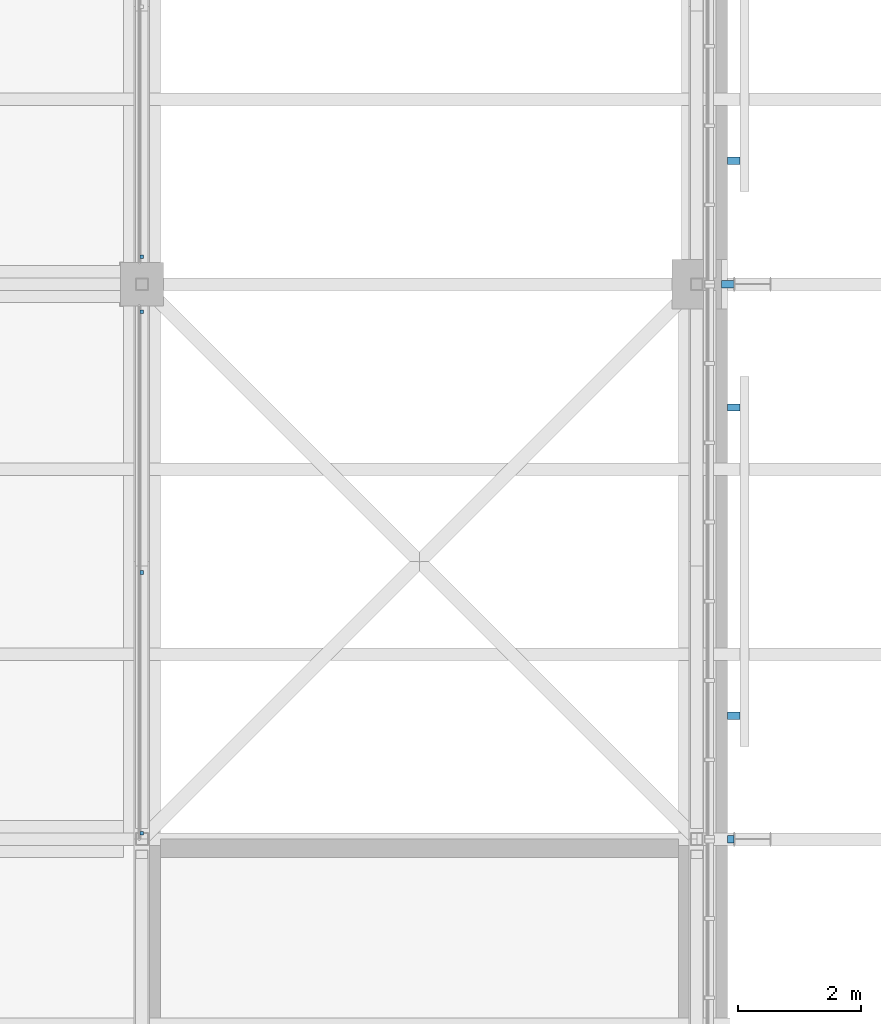
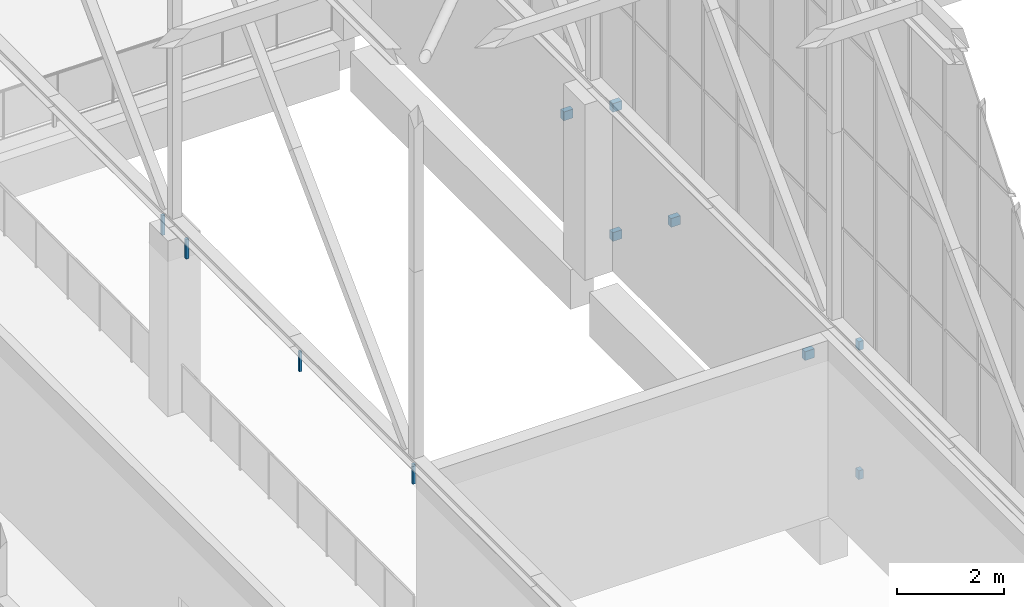
# One storey, part 224 of 646: 11 discrete accessories.
"""IFC4 building model written with IfcOpenShell, lengths in metres."""

from ifc_helpers import new_model, si_unit, direction, frame, origin, origin_2d, place, context, subcontext, project, spatial, rectangle, extrude, material, type_object, element, save


model = new_model("IFC4")

# Units and contexts
model_context = context("Model", 3, precision=1e-05, world=origin(), true_north=direction((0.0, 1.0)))
body_context = subcontext(model_context, "Body", "Model", "MODEL_VIEW")
ifc_project = project(units=[si_unit("LENGTHUNIT", "METRE"), si_unit("AREAUNIT", "SQUARE_METRE"), si_unit("VOLUMEUNIT", "CUBIC_METRE"), si_unit("PLANEANGLEUNIT", "RADIAN"), si_unit("MASSUNIT", "GRAM", prefix="KILO")], contexts=[model_context])

# Site, building, storey
site_placement = place(None, origin())
site = spatial("IfcSite", under=ifc_project, at=site_placement, CompositionType="ELEMENT")
building_placement = place(site_placement, origin())
building = spatial("IfcBuilding", under=site, at=building_placement, Name="Silverbay Arena", CompositionType="ELEMENT")
storey_placement = place(building_placement, frame((0.0, 0.0, 33.5)))
storey = spatial("IfcBuildingStorey", under=building, at=storey_placement, Name="L05", CompositionType="ELEMENT", Elevation=33.5)

# Discrete accessories
ifc_material_1 = material(Name="Steel S355", Category="steel")
discrete_accessory_type_1 = type_object("IfcDiscreteAccessoryType", Name="Ceiling hanger", PredefinedType="BRACKET", material=ifc_material_1)
for number, where, z_axis, x_axis, name in (
    (1, (198.0, 108.094970703125, 3.5498046875), (0.0, 0.0, 1.0), (1.0, 0.0, 0.0), "Ceiling hanger"),
    (2, (198.0, 112.324951171875, 3.5498046875), (0.0, 0.0, 1.0), (1.0, 0.0, 0.0), "Ceiling hanger"),
    (3, (198.0, 116.554931640625, 3.5498046875), (0.0, 0.0, 1.0), (1.0, 0.0, 0.0), "Ceiling hanger"),
    (4, (198.0, 117.445068359375, 3.5498046875), (0.0, 0.0, 1.0), (1.0, 0.0, 0.0), "Ceiling hanger"),
):
    element("IfcDiscreteAccessory", number, at=place(storey_placement, frame(where, z_axis=z_axis, x_axis=x_axis)), inside=storey, type_object=discrete_accessory_type_1, Name=name, PredefinedType="BRACKET", context=body_context, shape_type="SweptSolid", body=[
        extrude(rectangle(XDim=0.06005859375, YDim=0.06005859375, at=origin_2d()), origin(), (0.0, 0.0, 1.0), 0.449951171875),
    ])
ifc_material_2 = material(Name="Steel S355", Category="steel")
discrete_accessory_type_2 = type_object("IfcDiscreteAccessoryType", Name="Steel bracket plate", PredefinedType="BRACKET", material=ifc_material_2)
for number, where, z_axis, x_axis, name in (
    (5, (207.60009765625, 110.0, 1.89990234375), (0.0, 0.0, 1.0), (0.0, 1.0, 0.0), "Louvre support bracket"),
    (6, (207.60009765625, 115.0, 1.89990234375), (0.0, 0.0, 1.0), (0.0, 1.0, 0.0), "Louvre support bracket"),
    (7, (207.60009765625, 119.0, 1.89990234375), (0.0, 0.0, 1.0), (0.0, 1.0, 0.0), "Louvre support bracket"),
):
    element("IfcDiscreteAccessory", number, at=place(storey_placement, frame(where, z_axis=z_axis, x_axis=x_axis)), inside=storey, type_object=discrete_accessory_type_2, Name=name, PredefinedType="BRACKET", context=body_context, shape_type="SweptSolid", body=[
        extrude(rectangle(XDim=0.1201171875, YDim=0.199951171875, at=origin_2d()), origin(), (0.0, 0.0, 1.0), 0.199951171875),
    ])
for number, where, z_axis, x_axis, name in (
    (8, (207.550048828125, 108.0, 0.39990234375), (0.0, 0.0, 1.0), (1.0, 0.0, 0.0), "Fin bracket"),
    (9, (207.550048828125, 108.0, 3.33984375), (0.0, 0.0, 1.0), (1.0, 0.0, 0.0), "Fin bracket"),
):
    element("IfcDiscreteAccessory", number, at=place(storey_placement, frame(where, z_axis=z_axis, x_axis=x_axis)), inside=storey, type_object=discrete_accessory_type_2, Name=name, PredefinedType="BRACKET", context=body_context, shape_type="SweptSolid", body=[
        extrude(rectangle(XDim=0.10009765625, YDim=0.1201171875, at=origin_2d()), origin(), (0.0, 0.0, 1.0), 0.199951171875),
    ])
for number, where, z_axis, x_axis, name in (
    (10, (207.5, 117.0, 0.39990234375), (0.0, 0.0, 1.0), (1.0, 0.0, 0.0), "Fin bracket"),
    (11, (207.5, 117.0, 3.33984375), (0.0, 0.0, 1.0), (1.0, 0.0, 0.0), "Fin bracket"),
):
    element("IfcDiscreteAccessory", number, at=place(storey_placement, frame(where, z_axis=z_axis, x_axis=x_axis)), inside=storey, type_object=discrete_accessory_type_2, Name=name, PredefinedType="BRACKET", context=body_context, shape_type="SweptSolid", body=[
        extrude(rectangle(XDim=0.199951171875, YDim=0.1201171875, at=origin_2d()), origin(), (0.0, 0.0, 1.0), 0.199951171875),
    ])

save(model, "model.ifc")
